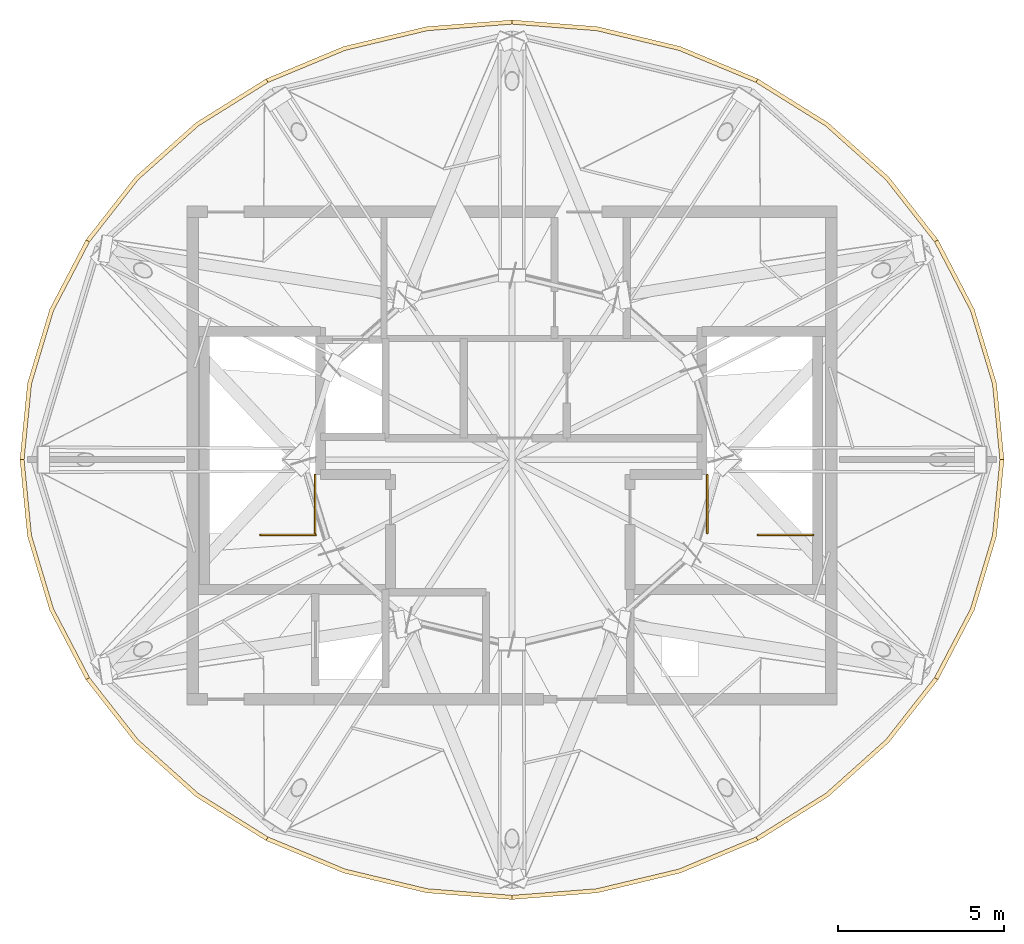
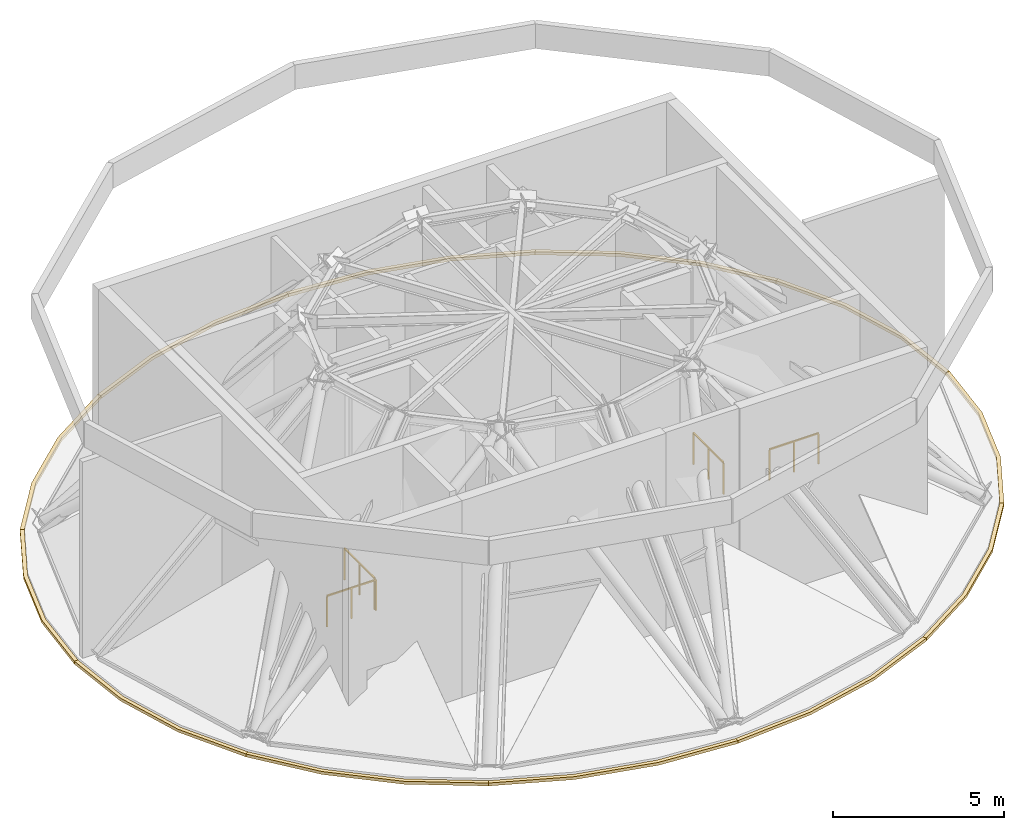
# One storey, part 6 of 6: 12 coverings, 4 railings.
"""IFC4 building model written with IfcOpenShell, lengths in metres."""

from ifc_helpers import new_model, si_unit, direction, frame, origin, origin_2d, place, context, subcontext, project, spatial, polyline, rectangle, outline, extrude, material, layer, layer_set, type_object, element, save


model = new_model("IFC4")

# Units and contexts
model_context = context("Model", 3, precision=1e-05, world=origin(), true_north=direction((0.0, 1.0)))
body_context = subcontext(model_context, "Body", "Model", "MODEL_VIEW")
ifc_project = project(units=[si_unit("LENGTHUNIT", "METRE"), si_unit("AREAUNIT", "SQUARE_METRE"), si_unit("VOLUMEUNIT", "CUBIC_METRE"), si_unit("PLANEANGLEUNIT", "RADIAN"), si_unit("MASSUNIT", "GRAM", prefix="KILO")], contexts=[model_context])

# Site, building, storey
site_placement = place(None, origin())
site = spatial("IfcSite", under=ifc_project, at=site_placement, CompositionType="ELEMENT")
building_placement = place(site_placement, origin())
building = spatial("IfcBuilding", under=site, at=building_placement, Name="Vantalir Tower", CompositionType="ELEMENT")
storey_placement = place(building_placement, frame((0.0, 0.0, 340.75)))
storey = spatial("IfcBuildingStorey", under=building, at=storey_placement, Name="L81", CompositionType="ELEMENT", Elevation=340.75)

# Coverings
ifc_material_1 = material(Name="Anodised champagne aluminium sill fascia", Category="aluminium")
ifc_layer = layer(ifc_material_1, 0.125)
ifc_layer_set = layer_set([ifc_layer], Name="Anodised champagne aluminium sill fascia")
covering_type = type_object("IfcCoveringType", Name="COV-SLAB-FASCIA-125", PredefinedType="CLADDING", material=ifc_layer_set)
covering_1_placement = place(storey_placement, frame((0.0, 0.0, -0.179931640625)))
element("IfcCovering", 1, at=covering_1_placement, inside=storey, type_object=covering_type, Name="L81 Perimeter Slab-Edge Sill Fascia 01", PredefinedType="CLADDING", context=body_context, shape_type="SweptSolid", body=[
    extrude(outline(polyline([(46.2890625, 25.0), (46.06396484375, 27.294921875), (45.39697265625, 29.52099609375), (44.30810546875, 31.60888671875), (44.198974609375, 31.5458984375), (45.280029296875, 29.47802734375), (45.94091796875, 27.27392578125), (46.1640625, 25.0), (46.2890625, 25.0)])), origin(), (0.0, 0.0, 1.0), 0.10498046875),
])
covering_2_placement = place(storey_placement, frame((0.0, 0.0, -0.179931640625)))
element("IfcCovering", 2, at=covering_2_placement, inside=storey, type_object=covering_type, Name="L81 Perimeter Slab-Edge Sill Fascia 02", PredefinedType="CLADDING", context=body_context, shape_type="SweptSolid", body=[
    extrude(outline(polyline([(44.30810546875, 31.60888671875), (42.8291015625, 33.49609375), (41.006103515625, 35.1259765625), (38.89501953125, 36.447021484375), (38.83203125, 36.339111328125), (40.926025390625, 35.030029296875), (42.73291015625, 33.416015625), (44.198974609375, 31.5458984375), (44.30810546875, 31.60888671875)])), origin(), (0.0, 0.0, 1.0), 0.10498046875),
])
covering_3_placement = place(storey_placement, frame((0.0, 0.0, -0.179931640625)))
element("IfcCovering", 3, at=covering_3_placement, inside=storey, type_object=covering_type, Name="L81 Perimeter Slab-Edge Sill Fascia 03", PredefinedType="CLADDING", context=body_context, shape_type="SweptSolid", body=[
    extrude(outline(polyline([(38.89501953125, 36.447021484375), (36.55810546875, 37.4208984375), (34.068115234375, 38.01708984375), (31.5, 38.218017578125), (31.5, 38.093017578125), (34.0458984375, 37.89404296875), (36.514892578125, 37.302978515625), (38.83203125, 36.339111328125), (38.89501953125, 36.447021484375)])), origin(), (0.0, 0.0, 1.0), 0.10498046875),
])
covering_4_placement = place(storey_placement, frame((0.0, 0.0, -0.179931640625)))
element("IfcCovering", 4, at=covering_4_placement, inside=storey, type_object=covering_type, Name="L81 Perimeter Slab-Edge Sill Fascia 04", PredefinedType="CLADDING", context=body_context, shape_type="SweptSolid", body=[
    extrude(outline(polyline([(31.5, 38.218017578125), (28.931884765625, 38.01708984375), (26.44189453125, 37.4208984375), (24.10595703125, 36.447021484375), (24.16796875, 36.339111328125), (26.485107421875, 37.302978515625), (28.9541015625, 37.89404296875), (31.5, 38.093017578125), (31.5, 38.218017578125)])), origin(), (0.0, 0.0, 1.0), 0.10498046875),
])
covering_5_placement = place(storey_placement, frame((0.0, 0.0, -0.179931640625)))
element("IfcCovering", 5, at=covering_5_placement, inside=storey, type_object=covering_type, Name="L81 Perimeter Slab-Edge Sill Fascia 05", PredefinedType="CLADDING", context=body_context, shape_type="SweptSolid", body=[
    extrude(outline(polyline([(24.10595703125, 36.447021484375), (21.993896484375, 35.1259765625), (20.1708984375, 33.49609375), (18.69189453125, 31.60888671875), (18.801025390625, 31.5458984375), (20.26708984375, 33.416015625), (22.073974609375, 35.030029296875), (24.16796875, 36.339111328125), (24.10595703125, 36.447021484375)])), origin(), (0.0, 0.0, 1.0), 0.10498046875),
])
covering_6_placement = place(storey_placement, frame((0.0, 0.0, -0.179931640625)))
element("IfcCovering", 6, at=covering_6_placement, inside=storey, type_object=covering_type, Name="L81 Perimeter Slab-Edge Sill Fascia 06", PredefinedType="CLADDING", context=body_context, shape_type="SweptSolid", body=[
    extrude(outline(polyline([(18.69189453125, 31.60888671875), (17.60302734375, 29.52099609375), (16.93603515625, 27.294921875), (16.7109375, 25.0), (16.8359375, 25.0), (17.05908203125, 27.27392578125), (17.719970703125, 29.47802734375), (18.801025390625, 31.5458984375), (18.69189453125, 31.60888671875)])), origin(), (0.0, 0.0, 1.0), 0.10498046875),
])
covering_7_placement = place(storey_placement, frame((0.0, 0.0, -0.179931640625)))
element("IfcCovering", 7, at=covering_7_placement, inside=storey, type_object=covering_type, Name="L81 Perimeter Slab-Edge Sill Fascia 07", PredefinedType="CLADDING", context=body_context, shape_type="SweptSolid", body=[
    extrude(outline(polyline([(16.7109375, 25.0), (16.93603515625, 22.705078125), (17.60302734375, 20.47900390625), (18.69189453125, 18.39111328125), (18.801025390625, 18.452880859375), (17.719970703125, 20.52197265625), (17.05908203125, 22.72607421875), (16.8359375, 25.0), (16.7109375, 25.0)])), origin(), (0.0, 0.0, 1.0), 0.10498046875),
])
covering_8_placement = place(storey_placement, frame((0.0, 0.0, -0.179931640625)))
element("IfcCovering", 8, at=covering_8_placement, inside=storey, type_object=covering_type, Name="L81 Perimeter Slab-Edge Sill Fascia 08", PredefinedType="CLADDING", context=body_context, shape_type="SweptSolid", body=[
    extrude(outline(polyline([(18.69189453125, 18.39111328125), (20.1708984375, 16.50390625), (21.993896484375, 14.8740234375), (24.10498046875, 13.552978515625), (24.16796875, 13.660888671875), (22.073974609375, 14.969970703125), (20.26708984375, 16.583984375), (18.801025390625, 18.452880859375), (18.69189453125, 18.39111328125)])), origin(), (0.0, 0.0, 1.0), 0.10498046875),
])
covering_9_placement = place(storey_placement, frame((0.0, 0.0, -0.179931640625)))
element("IfcCovering", 9, at=covering_9_placement, inside=storey, type_object=covering_type, Name="L81 Perimeter Slab-Edge Sill Fascia 09", PredefinedType="CLADDING", context=body_context, shape_type="SweptSolid", body=[
    extrude(outline(polyline([(24.10498046875, 13.552978515625), (26.44189453125, 12.5791015625), (28.931884765625, 11.98291015625), (31.5, 11.781982421875), (31.5, 11.906982421875), (28.9541015625, 12.10595703125), (26.485107421875, 12.697021484375), (24.16796875, 13.660888671875), (24.10498046875, 13.552978515625)])), origin(), (0.0, 0.0, 1.0), 0.10498046875),
])
covering_10_placement = place(storey_placement, frame((0.0, 0.0, -0.179931640625)))
element("IfcCovering", 10, at=covering_10_placement, inside=storey, type_object=covering_type, Name="L81 Perimeter Slab-Edge Sill Fascia 10", PredefinedType="CLADDING", context=body_context, shape_type="SweptSolid", body=[
    extrude(outline(polyline([(31.5, 11.781982421875), (34.068115234375, 11.98291015625), (36.55810546875, 12.5791015625), (38.89501953125, 13.552978515625), (38.83203125, 13.660888671875), (36.514892578125, 12.697021484375), (34.0458984375, 12.10595703125), (31.5, 11.906982421875), (31.5, 11.781982421875)])), origin(), (0.0, 0.0, 1.0), 0.10498046875),
])
covering_11_placement = place(storey_placement, frame((0.0, 0.0, -0.179931640625)))
element("IfcCovering", 11, at=covering_11_placement, inside=storey, type_object=covering_type, Name="L81 Perimeter Slab-Edge Sill Fascia 11", PredefinedType="CLADDING", context=body_context, shape_type="SweptSolid", body=[
    extrude(outline(polyline([(38.89501953125, 13.552978515625), (41.006103515625, 14.8740234375), (42.8291015625, 16.50390625), (44.30810546875, 18.39111328125), (44.198974609375, 18.452880859375), (42.73291015625, 16.583984375), (40.926025390625, 14.969970703125), (38.83203125, 13.660888671875), (38.89501953125, 13.552978515625)])), origin(), (0.0, 0.0, 1.0), 0.10498046875),
])
covering_12_placement = place(storey_placement, frame((0.0, 0.0, -0.179931640625)))
element("IfcCovering", 12, at=covering_12_placement, inside=storey, type_object=covering_type, Name="L81 Perimeter Slab-Edge Sill Fascia 12", PredefinedType="CLADDING", context=body_context, shape_type="SweptSolid", body=[
    extrude(outline(polyline([(44.30810546875, 18.39111328125), (45.39697265625, 20.47900390625), (46.06396484375, 22.705078125), (46.2890625, 25.0), (46.1640625, 25.0), (45.94091796875, 22.72607421875), (45.280029296875, 20.52197265625), (44.198974609375, 18.452880859375), (44.30810546875, 18.39111328125)])), origin(), (0.0, 0.0, 1.0), 0.10498046875),
])

# Railings
ifc_material_2 = material(Name="Anodised aluminium and stainless steel guard", Category="steel")
railing_type = type_object("IfcRailingType", Name="RAL-GUARD-1120", PredefinedType="GUARDRAIL", material=ifc_material_2)
for number, where, name in (
    (13, (25.60009765625, 22.739990234375, 0.0), "L81 ST1 top well guard 1"),
    (14, (40.550048828125, 22.739990234375, 0.0), "L81 ST2 top well guard 1"),
):
    element("IfcRailing", number, at=place(storey_placement, frame(where)), inside=storey, type_object=railing_type, Name=name, PredefinedType="GUARDRAIL", context=body_context, shape_type="SweptSolid", body=[
        extrude(rectangle(XDim=0.048095703125, YDim=0.048095703125, at=origin_2d()), frame((0.0, 0.0, 1.09619140625), z_axis=(-1.0, 0.0, 0.0), x_axis=(0.0, -1.0, 0.0)), (0.0, 0.0, 1.0), 1.66015625),
        extrude(rectangle(XDim=0.0419921875, YDim=0.0419921875, at=origin_2d()), origin(), (0.0, 0.0, 1.0), 1.072021484375),
        extrude(rectangle(XDim=0.0419921875, YDim=0.0419921875, at=origin_2d()), frame((-0.830078125, 0.0, 0.0)), (0.0, 0.0, 1.0), 1.072021484375),
        extrude(rectangle(XDim=0.0419921875, YDim=0.0419921875, at=origin_2d()), frame((-1.66015625, 0.0, 0.0)), (0.0, 0.0, 1.0), 1.072021484375),
    ])
for number, where, name in (
    (15, (25.580078125, 22.7900390625, 0.0), "L81 Stair ST1 Well Guard"),
    (16, (37.3701171875, 22.7900390625, 0.0), "L81 Stair ST2 Well Guard"),
):
    element("IfcRailing", number, at=place(storey_placement, frame(where)), inside=storey, type_object=railing_type, Name=name, PredefinedType="GUARDRAIL", context=body_context, shape_type="SweptSolid", body=[
        extrude(rectangle(XDim=0.048095703125, YDim=0.048095703125, at=origin_2d()), frame((0.0, 0.0, 1.1259765625), z_axis=(0.0, 1.0, 0.0), x_axis=(-1.0, 0.0, 0.0)), (0.0, 0.0, 1.0), 1.760009765625),
        extrude(rectangle(XDim=0.0419921875, YDim=0.0419921875, at=origin_2d()), origin(), (0.0, 0.0, 1.0), 1.101806640625),
        extrude(rectangle(XDim=0.0419921875, YDim=0.0419921875, at=origin_2d()), frame((0.0, 0.8798828125, 0.0)), (0.0, 0.0, 1.0), 1.101806640625),
        extrude(rectangle(XDim=0.0419921875, YDim=0.0419921875, at=origin_2d()), frame((0.0, 1.760009765625, 0.0)), (0.0, 0.0, 1.0), 1.101806640625),
    ])

save(model, "model.ifc")
